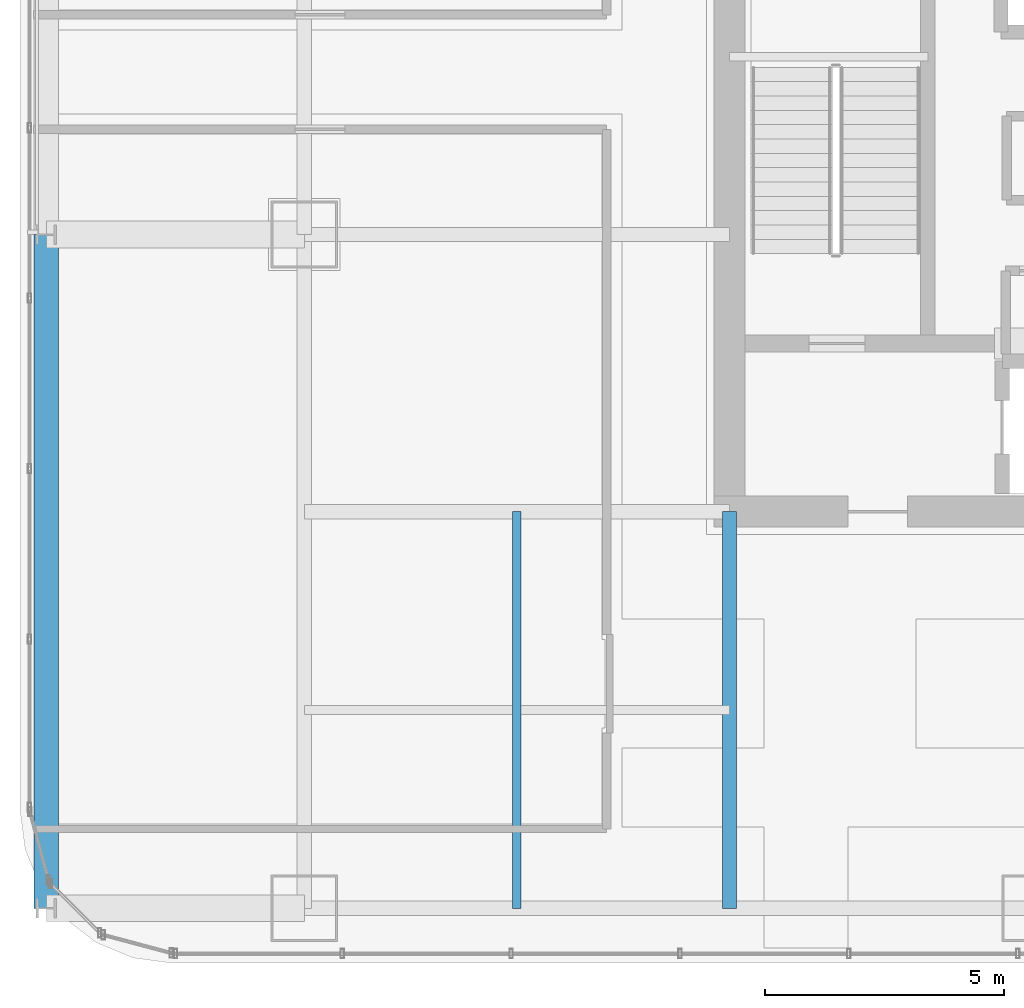
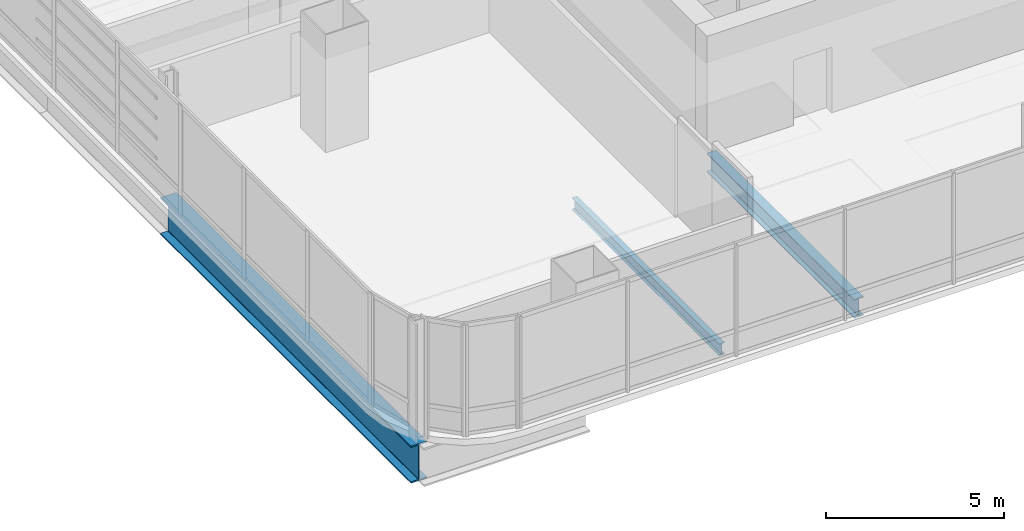
# One storey, part 4 of 38: 3 beams.
"""IFC4 building model written with IfcOpenShell, lengths in metres."""

from ifc_helpers import new_model, si_unit, direction, frame, origin, origin_2d, place, context, subcontext, project, spatial, i_section, extrude, material, material_profile, profile_set, type_object, element, save


model = new_model("IFC4")

# Units and contexts
model_context = context("Model", 3, precision=1e-05, world=origin(), true_north=direction((0.0, 1.0)))
body_context = subcontext(model_context, "Body", "Model", "MODEL_VIEW")
ifc_project = project(units=[si_unit("LENGTHUNIT", "METRE"), si_unit("AREAUNIT", "SQUARE_METRE"), si_unit("VOLUMEUNIT", "CUBIC_METRE"), si_unit("PLANEANGLEUNIT", "RADIAN"), si_unit("MASSUNIT", "GRAM", prefix="KILO")], contexts=[model_context])

# Site, building, storey
site_placement = place(None, origin())
site = spatial("IfcSite", under=ifc_project, at=site_placement, CompositionType="ELEMENT")
building_placement = place(site_placement, origin())
building = spatial("IfcBuilding", under=site, at=building_placement, Name="Punatoya Terracotta Tower", CompositionType="ELEMENT")
storey_placement = place(building_placement, frame((0.0, 0.0, 151.949951171875)))
storey = spatial("IfcBuildingStorey", under=building, at=storey_placement, Name="L35", CompositionType="ELEMENT", Elevation=151.949951171875)

# Beams
ifc_material_1 = material(Name="Steel S355", Category="steel")
ifc_material_profile_1 = material_profile(ifc_material_1, i_section(OverallWidth=0.300048828125, OverallDepth=0.64990234375, WebThickness=0.01611328125, FlangeThickness=0.031005859375, FilletRadius=0.01806640625, at=origin_2d()))
ifc_profile_set_1 = profile_set([ifc_material_profile_1], Name="Steel S355")
beam_type_1 = type_object("IfcBeamType", Name="BM-PRI-650", PredefinedType="BEAM", material=ifc_profile_set_1)
beam_1_placement = place(storey_placement, frame((-10.199951171875, -17.5, -0.544921875), z_axis=(0.0, 1.0, 0.0), x_axis=(-1.0, 0.0, 0.0)))
element("IfcBeam", 1, at=beam_1_placement, inside=storey, type_object=beam_type_1, Name="BM-L35-PR-S1", PredefinedType="BEAM", context=body_context, shape_type="SweptSolid", body=[
    extrude(i_section(OverallWidth=0.300048828125, OverallDepth=0.64990234375, WebThickness=0.01611328125, FlangeThickness=0.031005859375, FilletRadius=0.01806640625, at=origin_2d()), origin(), (0.0, 0.0, 1.0), 8.300048828125),
])
ifc_material_profile_2 = material_profile(ifc_material_1, i_section(OverallWidth=0.179931640625, OverallDepth=0.39990234375, WebThickness=0.008544921875, FlangeThickness=0.013427734375, FilletRadius=0.01806640625, at=origin_2d()))
ifc_profile_set_2 = profile_set([ifc_material_profile_2], Name="Steel S355")
beam_type_2 = type_object("IfcBeamType", Name="BM-SEC-400", PredefinedType="JOIST", material=ifc_profile_set_2)
beam_2_placement = place(storey_placement, frame((-14.64990234375, -17.5, -0.419921875), z_axis=(0.0, 1.0, 0.0), x_axis=(-1.0, 0.0, 0.0)))
element("IfcBeam", 2, at=beam_2_placement, inside=storey, type_object=beam_type_2, Name="BM-L35-SJW-1", PredefinedType="JOIST", context=body_context, shape_type="SweptSolid", body=[
    extrude(i_section(OverallWidth=0.179931640625, OverallDepth=0.39990234375, WebThickness=0.008544921875, FlangeThickness=0.013427734375, FilletRadius=0.01806640625, at=origin_2d()), origin(), (0.0, 0.0, 1.0), 8.300048828125),
])
ifc_material_2 = material(Name="Steel S460", Category="steel")
ifc_material_profile_3 = material_profile(ifc_material_2, i_section(OverallWidth=0.52001953125, OverallDepth=1.280029296875, WebThickness=0.031982421875, FlangeThickness=0.050048828125, FilletRadius=0.01806640625, at=origin_2d()))
ifc_profile_set_3 = profile_set([ifc_material_profile_3], Name="Steel S460")
beam_type_3 = type_object("IfcBeamType", Name="BM-TG-NCK", PredefinedType="BEAM", material=ifc_profile_set_3)
beam_3_placement = place(storey_placement, frame((-24.5, -17.5, -0.85986328125), z_axis=(0.0, 1.0, 0.0), x_axis=(-1.0, 0.0, 0.0)))
element("IfcBeam", 3, at=beam_3_placement, inside=storey, type_object=beam_type_3, Name="BM-L35-PER-W1", PredefinedType="BEAM", context=body_context, shape_type="SweptSolid", body=[
    extrude(i_section(OverallWidth=0.52001953125, OverallDepth=1.280029296875, WebThickness=0.031982421875, FlangeThickness=0.050048828125, FilletRadius=0.01806640625, at=origin_2d()), origin(), (0.0, 0.0, 1.0), 14.10009765625),
])

save(model, "model.ifc")
